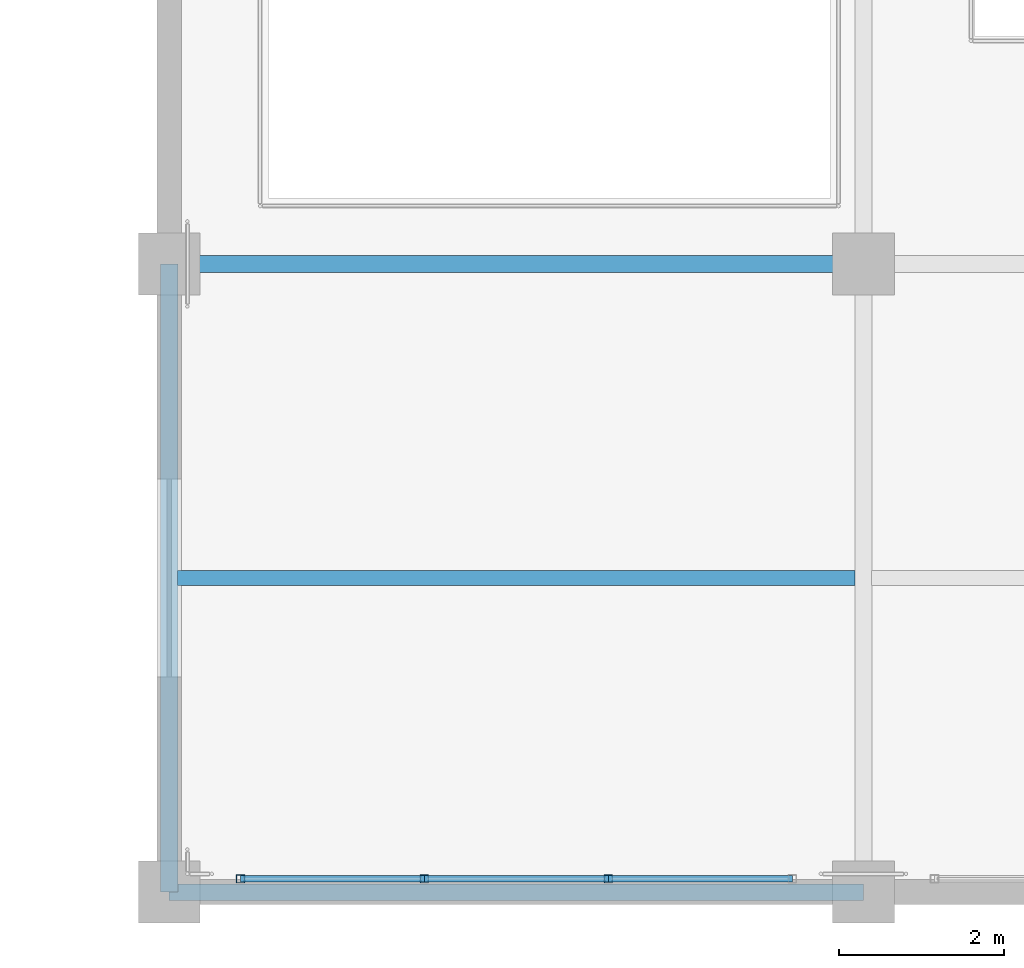
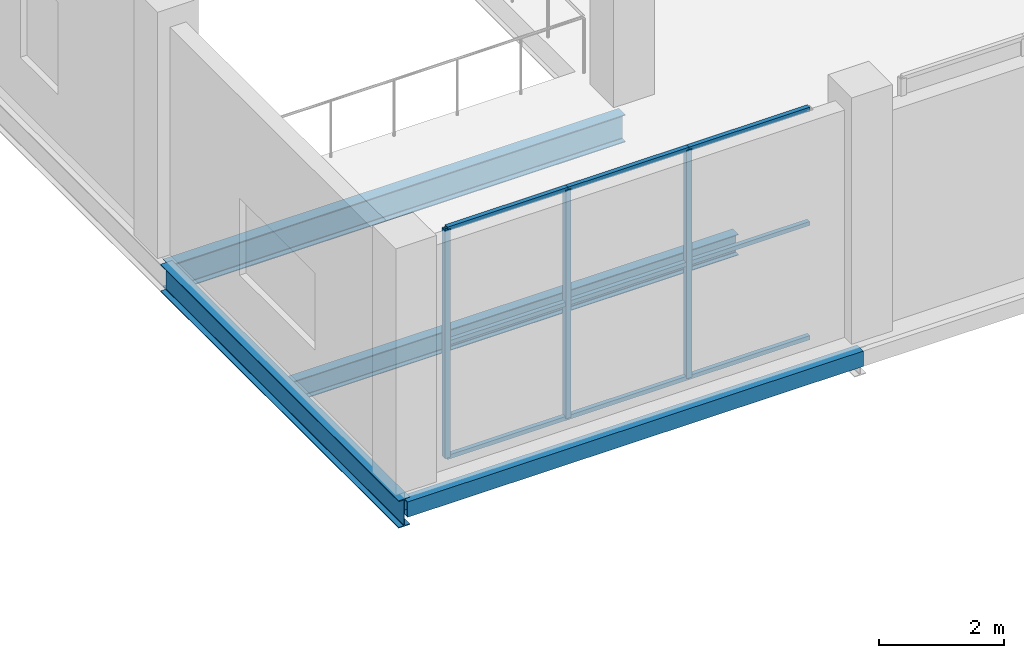
# One storey, part 13 of 51: 12 members, 4 beams, 1 element without a shape of its own.
"""IFC4 building model written with IfcOpenShell, lengths in metres."""

from ifc_helpers import new_model, si_unit, direction, frame, origin, origin_2d, place, context, subcontext, project, spatial, hollow_rectangle, i_section, extrude, material, material_profile, profile_set, type_object, element, aggregate, save


model = new_model("IFC4")

# Units and contexts
model_context = context("Model", 3, precision=1e-05, world=origin(), true_north=direction((0.0, 1.0)))
body_context = subcontext(model_context, "Body", "Model", "MODEL_VIEW")
ifc_project = project(units=[si_unit("LENGTHUNIT", "METRE"), si_unit("AREAUNIT", "SQUARE_METRE"), si_unit("VOLUMEUNIT", "CUBIC_METRE"), si_unit("PLANEANGLEUNIT", "RADIAN"), si_unit("MASSUNIT", "GRAM", prefix="KILO")], contexts=[model_context])

# Site, building, storey
site_placement = place(None, origin())
site = spatial("IfcSite", under=ifc_project, at=site_placement, CompositionType="ELEMENT")
building_placement = place(site_placement, origin())
building = spatial("IfcBuilding", under=site, at=building_placement, Name="Zuvorla Pavilion Media Centre", CompositionType="ELEMENT")
storey_placement = place(building_placement, frame((0.0, 0.0, 4.800048828125)))
storey = spatial("IfcBuildingStorey", under=building, at=storey_placement, Name="L01", CompositionType="ELEMENT", Elevation=4.800048828125)

# Beams
ifc_material_1 = material(Name="Steel S355", Category="steel")
ifc_material_profile_1 = material_profile(ifc_material_1, hollow_rectangle(XDim=0.199951171875, YDim=0.300048828125, WallThickness=0.012451171875, at=origin_2d()), Name="RHS 300x200x12.5")
ifc_profile_set_1 = profile_set([ifc_material_profile_1], Name="Steel S355")
beam_type_1 = type_object("IfcBeamType", Name="BM-SP-RHS300", PredefinedType="SPANDREL", material=ifc_profile_set_1)
beam_1_placement = place(storey_placement, frame((33.199951171875, 6.0, -0.578125), z_axis=(1.0, 0.0, 0.0), x_axis=(0.0, 1.0, 0.0)))
element("IfcBeam", 1, at=beam_1_placement, inside=storey, type_object=beam_type_1, Name="L01 spandrel SP01 433", PredefinedType="SPANDREL", context=body_context, shape_type="SweptSolid", body=[
    extrude(hollow_rectangle(XDim=0.199951171875, YDim=0.300048828125, WallThickness=0.012451171875, at=origin_2d()), origin(), (0.0, 0.0, 1.0), 8.400146484375),
])
ifc_material_profile_2 = material_profile(ifc_material_1, i_section(OverallWidth=0.1787109375, OverallDepth=0.409423828125, WebThickness=0.0087890625, FlangeThickness=0.014404296875, FilletRadius=0.01025390625, at=origin_2d()), Name="UB 406x178x67")
ifc_profile_set_2 = profile_set([ifc_material_profile_2], Name="Steel S355")
beam_type_2 = type_object("IfcBeamType", Name="BM-UB406", PredefinedType="JOIST", material=ifc_profile_set_2)
beam_2_placement = place(storey_placement, frame((33.300048828125, 9.800048828125, -0.6328125), z_axis=(1.0, 0.0, 0.0), x_axis=(0.0, 1.0, 0.0)))
element("IfcBeam", 2, at=beam_2_placement, inside=storey, type_object=beam_type_2, Name="L01 joist J02 707", PredefinedType="JOIST", context=body_context, shape_type="SweptSolid", body=[
    extrude(i_section(OverallWidth=0.1787109375, OverallDepth=0.409423828125, WebThickness=0.0087890625, FlangeThickness=0.014404296875, FilletRadius=0.01025390625, at=origin_2d()), origin(), (0.0, 0.0, 1.0), 8.199951171875),
])
ifc_material_profile_3 = material_profile(ifc_material_1, i_section(OverallWidth=0.2099609375, OverallDepth=0.53662109375, WebThickness=0.0107421875, FlangeThickness=0.017333984375, FilletRadius=0.0126953125, at=origin_2d()), Name="UB 533x210x101")
ifc_profile_set_3 = profile_set([ifc_material_profile_3], Name="Steel S355")
beam_type_3 = type_object("IfcBeamType", Name="BM-UB533", PredefinedType="BEAM", material=ifc_profile_set_3)
beam_3_placement = place(storey_placement, frame((33.199951171875, 13.60009765625, -0.6962890625), z_axis=(1.0, 0.0, 0.0), x_axis=(0.0, 1.0, 0.0)))
element("IfcBeam", 3, at=beam_3_placement, inside=storey, type_object=beam_type_3, Name="L01 beam B08 449", PredefinedType="BEAM", context=body_context, shape_type="SweptSolid", body=[
    extrude(i_section(OverallWidth=0.2099609375, OverallDepth=0.53662109375, WebThickness=0.0107421875, FlangeThickness=0.017333984375, FilletRadius=0.0126953125, at=origin_2d()), origin(), (0.0, 0.0, 1.0), 8.400146484375),
])
beam_4_placement = place(storey_placement, frame((33.199951171875, 6.0, -0.6962890625), z_axis=(0.0, 1.0, 0.0), x_axis=(-1.0, 0.0, 0.0)))
element("IfcBeam", 4, at=beam_4_placement, inside=storey, type_object=beam_type_3, Name="L01 beam B08 581", PredefinedType="BEAM", context=body_context, shape_type="SweptSolid", body=[
    extrude(i_section(OverallWidth=0.2099609375, OverallDepth=0.53662109375, WebThickness=0.0107421875, FlangeThickness=0.017333984375, FilletRadius=0.0126953125, at=origin_2d()), origin(), (0.0, 0.0, 1.0), 7.60009765625),
])

# Curtain wall, members
ifc_material_2 = material(Name="Unitised anodised aluminium and solar glass curtain wall", Category="aluminium")
curtain_wall_type = type_object("IfcCurtainWallType", Name="CW-SYS-86", PredefinedType="USERDEFINED", material=ifc_material_2)
curtain_wall_placement = place(storey_placement, origin())
curtain_wall = element("IfcCurtainWall", 5, at=curtain_wall_placement, inside=storey, type_object=curtain_wall_type, Name="L01 curtain wall CW86 196", ObjectType="CURTAIN WALL", PredefinedType="USERDEFINED")
ifc_material_3 = material(Name="Anodised aluminium 6063-T6", Category="aluminium")
ifc_material_profile_4 = material_profile(ifc_material_3, hollow_rectangle(XDim=0.10009765625, YDim=0.10009765625, WallThickness=0.00439453125, at=origin_2d()), Name="ALU MULL 100x100")
ifc_profile_set_4 = profile_set([ifc_material_profile_4], Name="Anodised aluminium 6063-T6")
member_type_1 = type_object("IfcMemberType", Name="CW-MULL-100", PredefinedType="MULLION", material=ifc_profile_set_4)
member_1_placement = place(storey_placement, frame((34.060791015625, 6.159912109375, 0.0), z_axis=(0.0, 0.0, 1.0), x_axis=(1.0, 0.0, 0.0)))
member_1 = element("IfcMember", 6, at=member_1_placement, type_object=member_type_1, Name="CW86 mullion 1", PredefinedType="MULLION", context=body_context, shape_type="SweptSolid", body=[
    extrude(hollow_rectangle(XDim=0.10009765625, YDim=0.10009765625, WallThickness=0.00439453125, at=origin_2d()), origin(), (0.0, 0.0, 1.0), 4.449951171875),
])
member_2_placement = place(storey_placement, frame((36.286865234375, 6.159912109375, 0.0), z_axis=(0.0, 0.0, 1.0), x_axis=(1.0, 0.0, 0.0)))
member_2 = element("IfcMember", 7, at=member_2_placement, type_object=member_type_1, Name="CW86 mullion 2", PredefinedType="MULLION", context=body_context, shape_type="SweptSolid", body=[
    extrude(hollow_rectangle(XDim=0.10009765625, YDim=0.10009765625, WallThickness=0.00439453125, at=origin_2d()), origin(), (0.0, 0.0, 1.0), 4.449951171875),
])
member_3_placement = place(storey_placement, frame((38.51318359375, 6.159912109375, 0.0), z_axis=(0.0, 0.0, 1.0), x_axis=(1.0, 0.0, 0.0)))
member_3 = element("IfcMember", 8, at=member_3_placement, type_object=member_type_1, Name="CW86 mullion 3", PredefinedType="MULLION", context=body_context, shape_type="SweptSolid", body=[
    extrude(hollow_rectangle(XDim=0.10009765625, YDim=0.10009765625, WallThickness=0.00439453125, at=origin_2d()), origin(), (0.0, 0.0, 1.0), 4.449951171875),
])
ifc_material_profile_5 = material_profile(ifc_material_3, hollow_rectangle(XDim=0.080078125, YDim=0.080078125, WallThickness=0.00390625, at=origin_2d()), Name="ALU TRAN 80x80")
ifc_profile_set_5 = profile_set([ifc_material_profile_5], Name="Anodised aluminium 6063-T6")
member_type_2 = type_object("IfcMemberType", Name="CW-TRAN-80", PredefinedType="USERDEFINED", material=ifc_profile_set_5)
member_4_placement = place(storey_placement, frame((34.060791015625, 6.159912109375, 0.0), z_axis=(1.0, 0.0, 0.0), x_axis=(0.0, 1.0, 0.0)))
member_4 = element("IfcMember", 9, at=member_4_placement, type_object=member_type_2, Name="CW86 transom 1.1", ObjectType="TRANSOM", PredefinedType="USERDEFINED", context=body_context, shape_type="SweptSolid", body=[
    extrude(hollow_rectangle(XDim=0.080078125, YDim=0.080078125, WallThickness=0.00390625, at=origin_2d()), origin(), (0.0, 0.0, 1.0), 2.22607421875),
])
member_5_placement = place(storey_placement, frame((34.060791015625, 6.159912109375, 2.224853515625), z_axis=(1.0, 0.0, 0.0), x_axis=(0.0, 1.0, 0.0)))
member_5 = element("IfcMember", 10, at=member_5_placement, type_object=member_type_2, Name="CW86 transom 1.2", ObjectType="TRANSOM", PredefinedType="USERDEFINED", context=body_context, shape_type="SweptSolid", body=[
    extrude(hollow_rectangle(XDim=0.080078125, YDim=0.080078125, WallThickness=0.00390625, at=origin_2d()), origin(), (0.0, 0.0, 1.0), 2.22607421875),
])
member_6_placement = place(storey_placement, frame((34.060791015625, 6.159912109375, 4.449951171875), z_axis=(1.0, 0.0, 0.0), x_axis=(0.0, 1.0, 0.0)))
member_6 = element("IfcMember", 11, at=member_6_placement, type_object=member_type_2, Name="CW86 transom 1.3", ObjectType="TRANSOM", PredefinedType="USERDEFINED", context=body_context, shape_type="SweptSolid", body=[
    extrude(hollow_rectangle(XDim=0.080078125, YDim=0.080078125, WallThickness=0.00390625, at=origin_2d()), origin(), (0.0, 0.0, 1.0), 2.22607421875),
])
member_7_placement = place(storey_placement, frame((36.286865234375, 6.159912109375, 0.0), z_axis=(1.0, 0.0, 0.0), x_axis=(0.0, 1.0, 0.0)))
member_7 = element("IfcMember", 12, at=member_7_placement, type_object=member_type_2, Name="CW86 transom 2.1", ObjectType="TRANSOM", PredefinedType="USERDEFINED", context=body_context, shape_type="SweptSolid", body=[
    extrude(hollow_rectangle(XDim=0.080078125, YDim=0.080078125, WallThickness=0.00390625, at=origin_2d()), origin(), (0.0, 0.0, 1.0), 2.226318359375),
])
member_8_placement = place(storey_placement, frame((36.286865234375, 6.159912109375, 2.224853515625), z_axis=(1.0, 0.0, 0.0), x_axis=(0.0, 1.0, 0.0)))
member_8 = element("IfcMember", 13, at=member_8_placement, type_object=member_type_2, Name="CW86 transom 2.2", ObjectType="TRANSOM", PredefinedType="USERDEFINED", context=body_context, shape_type="SweptSolid", body=[
    extrude(hollow_rectangle(XDim=0.080078125, YDim=0.080078125, WallThickness=0.00390625, at=origin_2d()), origin(), (0.0, 0.0, 1.0), 2.226318359375),
])
member_9_placement = place(storey_placement, frame((36.286865234375, 6.159912109375, 4.449951171875), z_axis=(1.0, 0.0, 0.0), x_axis=(0.0, 1.0, 0.0)))
member_9 = element("IfcMember", 14, at=member_9_placement, type_object=member_type_2, Name="CW86 transom 2.3", ObjectType="TRANSOM", PredefinedType="USERDEFINED", context=body_context, shape_type="SweptSolid", body=[
    extrude(hollow_rectangle(XDim=0.080078125, YDim=0.080078125, WallThickness=0.00390625, at=origin_2d()), origin(), (0.0, 0.0, 1.0), 2.226318359375),
])
member_10_placement = place(storey_placement, frame((38.51318359375, 6.159912109375, 0.0), z_axis=(1.0, 0.0, 0.0), x_axis=(0.0, 1.0, 0.0)))
member_10 = element("IfcMember", 15, at=member_10_placement, type_object=member_type_2, Name="CW86 transom 3.1", ObjectType="TRANSOM", PredefinedType="USERDEFINED", context=body_context, shape_type="SweptSolid", body=[
    extrude(hollow_rectangle(XDim=0.080078125, YDim=0.080078125, WallThickness=0.00390625, at=origin_2d()), origin(), (0.0, 0.0, 1.0), 2.22607421875),
])
member_11_placement = place(storey_placement, frame((38.51318359375, 6.159912109375, 2.224853515625), z_axis=(1.0, 0.0, 0.0), x_axis=(0.0, 1.0, 0.0)))
member_11 = element("IfcMember", 16, at=member_11_placement, type_object=member_type_2, Name="CW86 transom 3.2", ObjectType="TRANSOM", PredefinedType="USERDEFINED", context=body_context, shape_type="SweptSolid", body=[
    extrude(hollow_rectangle(XDim=0.080078125, YDim=0.080078125, WallThickness=0.00390625, at=origin_2d()), origin(), (0.0, 0.0, 1.0), 2.22607421875),
])
member_12_placement = place(storey_placement, frame((38.51318359375, 6.159912109375, 4.449951171875), z_axis=(1.0, 0.0, 0.0), x_axis=(0.0, 1.0, 0.0)))
member_12 = element("IfcMember", 17, at=member_12_placement, type_object=member_type_2, Name="CW86 transom 3.3", ObjectType="TRANSOM", PredefinedType="USERDEFINED", context=body_context, shape_type="SweptSolid", body=[
    extrude(hollow_rectangle(XDim=0.080078125, YDim=0.080078125, WallThickness=0.00390625, at=origin_2d()), origin(), (0.0, 0.0, 1.0), 2.22607421875),
])
aggregate(curtain_wall, [member_1, member_2, member_3, member_4, member_5, member_6, member_7, member_8, member_9, member_10, member_11, member_12])

save(model, "model.ifc")
